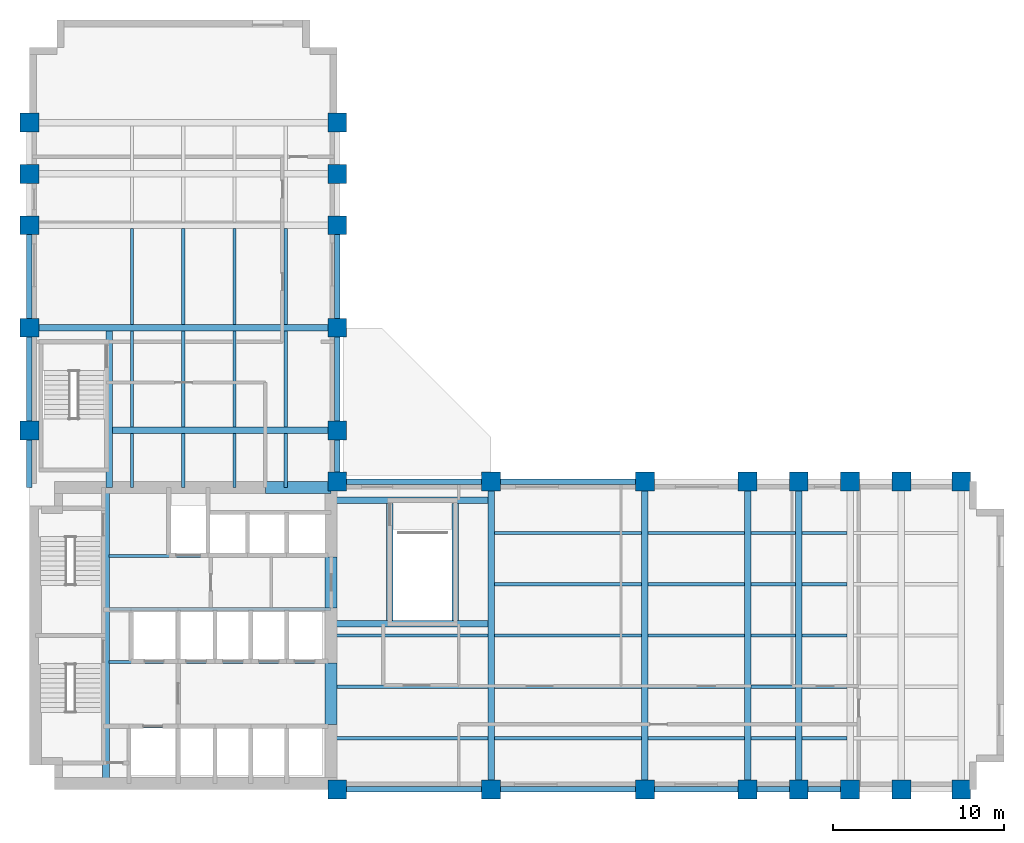
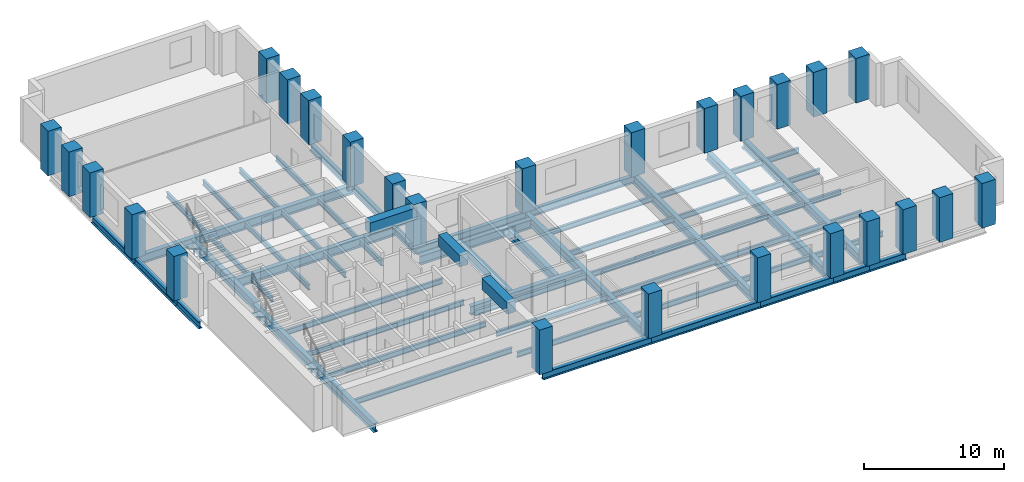
# One storey, part 1 of 7: 67 beams, 26 columns.
"""IFC4 building model written with IfcOpenShell, lengths in metres."""

from ifc_helpers import new_model, si_unit, direction, frame, origin, origin_2d, place, context, subcontext, project, spatial, rectangle, i_section, extrude, material, material_profile, profile_set, type_object, element, save


model = new_model("IFC4")

# Units and contexts
model_context = context("Model", 3, precision=1e-05, world=origin(), true_north=direction((0.0, 1.0)))
body_context = subcontext(model_context, "Body", "Model", "MODEL_VIEW")
ifc_project = project(units=[si_unit("LENGTHUNIT", "METRE"), si_unit("AREAUNIT", "SQUARE_METRE"), si_unit("VOLUMEUNIT", "CUBIC_METRE"), si_unit("PLANEANGLEUNIT", "RADIAN"), si_unit("MASSUNIT", "GRAM", prefix="KILO")], contexts=[model_context])

# Site, building, storey
site_placement = place(None, origin())
site = spatial("IfcSite", under=ifc_project, at=site_placement, CompositionType="ELEMENT")
building_placement = place(site_placement, origin())
building = spatial("IfcBuilding", under=site, at=building_placement, Name="Mawjdan Bourse Tower", CompositionType="ELEMENT")
storey_placement = place(building_placement, frame((0.0, 0.0, 93.300048828125)))
storey = spatial("IfcBuildingStorey", under=building, at=storey_placement, Name="L21", CompositionType="ELEMENT", Elevation=93.300048828125)

# Columns
ifc_material_1 = material(Name="Concrete C70/85", Category="concrete")
ifc_material_profile_1 = material_profile(ifc_material_1, rectangle(XDim=1.10009765625, YDim=1.10009765625, at=origin_2d()), Name="RC1100X1100")
ifc_profile_set_1 = profile_set([ifc_material_profile_1], Name="Concrete C70/85")
column_type = type_object("IfcColumnType", Name="COL-RC1100X1100", PredefinedType="COLUMN", material=ifc_profile_set_1)
for number, where, z_axis, x_axis, name in (
    (1, (24.0, 3.0, 0.0), (0.0, 0.0, 1.0), (1.0, 0.0, 0.0), "L21 Structural Column C-X240-Y30"),
    (2, (24.0, 21.0, 0.0), (0.0, 0.0, 1.0), (1.0, 0.0, 0.0), "L21 Structural Column C-X240-Y210"),
    (3, (33.0, 3.0, 0.0), (0.0, 0.0, 1.0), (1.0, 0.0, 0.0), "L21 Structural Column C-X330-Y30"),
    (4, (33.0, 21.0, 0.0), (0.0, 0.0, 1.0), (1.0, 0.0, 0.0), "L21 Structural Column C-X330-Y210"),
    (5, (42.0, 3.0, 0.0), (0.0, 0.0, 1.0), (1.0, 0.0, 0.0), "L21 Structural Column C-X420-Y30"),
    (6, (42.0, 21.0, 0.0), (0.0, 0.0, 1.0), (1.0, 0.0, 0.0), "L21 Structural Column C-X420-Y210"),
    (7, (48.0, 3.0, 0.0), (0.0, 0.0, 1.0), (1.0, 0.0, 0.0), "L21 Structural Column C-X480-Y30"),
    (8, (48.0, 21.0, 0.0), (0.0, 0.0, 1.0), (1.0, 0.0, 0.0), "L21 Structural Column C-X480-Y210"),
    (9, (51.0, 3.0, 0.0), (0.0, 0.0, 1.0), (1.0, 0.0, 0.0), "L21 Structural Column C-X510-Y30"),
    (10, (51.0, 21.0, 0.0), (0.0, 0.0, 1.0), (1.0, 0.0, 0.0), "L21 Structural Column C-X510-Y210"),
    (11, (54.0, 3.0, 0.0), (0.0, 0.0, 1.0), (1.0, 0.0, 0.0), "L21 Structural Column C-X540-Y30"),
    (12, (54.0, 21.0, 0.0), (0.0, 0.0, 1.0), (1.0, 0.0, 0.0), "L21 Structural Column C-X540-Y210"),
    (13, (57.0, 3.0, 0.0), (0.0, 0.0, 1.0), (1.0, 0.0, 0.0), "L21 Structural Column C-X570-Y30"),
    (14, (57.0, 21.0, 0.0), (0.0, 0.0, 1.0), (1.0, 0.0, 0.0), "L21 Structural Column C-X570-Y210"),
    (15, (60.5, 3.0, 0.0), (0.0, 0.0, 1.0), (1.0, 0.0, 0.0), "L21 Structural Column C-X605-Y30"),
    (16, (60.5, 21.0, 0.0), (0.0, 0.0, 1.0), (1.0, 0.0, 0.0), "L21 Structural Column C-X605-Y210"),
    (17, (6.0, 24.0, 0.0), (0.0, 0.0, 1.0), (1.0, 0.0, 0.0), "L21 Structural Column C-X60-Y240"),
    (18, (24.0, 24.0, 0.0), (0.0, 0.0, 1.0), (1.0, 0.0, 0.0), "L21 Structural Column C-X240-Y240"),
    (19, (6.0, 30.0, 0.0), (0.0, 0.0, 1.0), (1.0, 0.0, 0.0), "L21 Structural Column C-X60-Y300"),
    (20, (24.0, 30.0, 0.0), (0.0, 0.0, 1.0), (1.0, 0.0, 0.0), "L21 Structural Column C-X240-Y300"),
    (21, (6.0, 36.0, 0.0), (0.0, 0.0, 1.0), (1.0, 0.0, 0.0), "L21 Structural Column C-X60-Y360"),
    (22, (24.0, 36.0, 0.0), (0.0, 0.0, 1.0), (1.0, 0.0, 0.0), "L21 Structural Column C-X240-Y360"),
    (23, (6.0, 39.0, 0.0), (0.0, 0.0, 1.0), (1.0, 0.0, 0.0), "L21 Structural Column C-X60-Y390"),
    (24, (24.0, 39.0, 0.0), (0.0, 0.0, 1.0), (1.0, 0.0, 0.0), "L21 Structural Column C-X240-Y390"),
    (25, (6.0, 42.0, 0.0), (0.0, 0.0, 1.0), (1.0, 0.0, 0.0), "L21 Structural Column C-X60-Y420"),
    (26, (24.0, 42.0, 0.0), (0.0, 0.0, 1.0), (1.0, 0.0, 0.0), "L21 Structural Column C-X240-Y420"),
):
    element("IfcColumn", number, at=place(storey_placement, frame(where, z_axis=z_axis, x_axis=x_axis)), inside=storey, type_object=column_type, Name=name, PredefinedType="COLUMN", context=body_context, shape_type="SweptSolid", body=[
        extrude(rectangle(XDim=1.10009765625, YDim=1.10009765625, at=origin_2d()), origin(), (0.0, 0.0, 1.0), 3.89990234375),
    ])

# Beams
ifc_material_2 = material(Name="Structural Steel S355", Category="steel")
ifc_material_profile_2 = material_profile(ifc_material_2, i_section(OverallWidth=0.381103515625, OverallDepth=0.77294921875, WebThickness=0.0166015625, FlangeThickness=0.027099609375, FilletRadius=0.021728515625, at=origin_2d()), Name="W30X173")
ifc_profile_set_2 = profile_set([ifc_material_profile_2], Name="Structural Steel S355")
beam_type_1 = type_object("IfcBeamType", Name="GRD-W30X173", PredefinedType="BEAM", material=ifc_profile_set_2)
beam_1_placement = place(storey_placement, frame((10.47998046875, 3.35009765625, -0.586669921875), z_axis=(0.0, 1.0, 0.0), x_axis=(-1.0, 0.0, 0.0)))
element("IfcBeam", 27, at=beam_1_placement, inside=storey, type_object=beam_type_1, Name="L21 Core Stair Trimmer Girder 001", PredefinedType="BEAM", context=body_context, shape_type="SweptSolid", body=[
    extrude(i_section(OverallWidth=0.381103515625, OverallDepth=0.77294921875, WebThickness=0.0166015625, FlangeThickness=0.027099609375, FilletRadius=0.021728515625, at=origin_2d()), origin(), (0.0, 0.0, 1.0), 17.2998046875),
])
for number, where, z_axis, x_axis, name in (
    (28, (33.0, 3.0, -0.586669921875), (0.0, 1.0, 0.0), (-1.0, 0.0, 0.0), "L21 East Wing Clear-Span Girder 002"),
    (29, (42.0, 3.0, -0.586669921875), (0.0, 1.0, 0.0), (-1.0, 0.0, 0.0), "L21 East Wing Clear-Span Girder 003"),
    (30, (48.0, 3.0, -0.586669921875), (0.0, 1.0, 0.0), (-1.0, 0.0, 0.0), "L21 East Wing Clear-Span Girder 004"),
    (31, (51.0, 3.0, -0.586669921875), (0.0, 1.0, 0.0), (-1.0, 0.0, 0.0), "L21 East Wing Clear-Span Girder 005"),
):
    element("IfcBeam", number, at=place(storey_placement, frame(where, z_axis=z_axis, x_axis=x_axis)), inside=storey, type_object=beam_type_1, Name=name, PredefinedType="BEAM", context=body_context, shape_type="SweptSolid", body=[
        extrude(i_section(OverallWidth=0.381103515625, OverallDepth=0.77294921875, WebThickness=0.0166015625, FlangeThickness=0.027099609375, FilletRadius=0.021728515625, at=origin_2d()), origin(), (0.0, 0.0, 1.0), 18.0),
    ])
for number, where, z_axis, x_axis, name in (
    (32, (23.64990234375, 12.679931640625, -0.586669921875), (1.0, 0.0, 0.0), (0.0, 1.0, 0.0), "L21 Feature Stair South Trimmer 056"),
    (33, (23.64990234375, 19.919921875, -0.586669921875), (1.0, 0.0, 0.0), (0.0, 1.0, 0.0), "L21 Feature Stair North Trimmer 057"),
):
    element("IfcBeam", number, at=place(storey_placement, frame(where, z_axis=z_axis, x_axis=x_axis)), inside=storey, type_object=beam_type_1, Name=name, PredefinedType="BEAM", context=body_context, shape_type="SweptSolid", body=[
        extrude(i_section(OverallWidth=0.381103515625, OverallDepth=0.77294921875, WebThickness=0.0166015625, FlangeThickness=0.027099609375, FilletRadius=0.021728515625, at=origin_2d()), origin(), (0.0, 0.0, 1.0), 9.16162109375),
    ])
for number, where, z_axis, x_axis, name in (
    (34, (27.080078125, 12.868408203125, -0.586669921875), (0.0, 1.0, 0.0), (-1.0, 0.0, 0.0), "L21 Feature Stair West Trimmer 058"),
    (35, (30.919921875, 12.868408203125, -0.586669921875), (0.0, 1.0, 0.0), (-1.0, 0.0, 0.0), "L21 Feature Stair East Trimmer 059"),
):
    element("IfcBeam", number, at=place(storey_placement, frame(where, z_axis=z_axis, x_axis=x_axis)), inside=storey, type_object=beam_type_1, Name=name, PredefinedType="BEAM", context=body_context, shape_type="SweptSolid", body=[
        extrude(i_section(OverallWidth=0.381103515625, OverallDepth=0.77294921875, WebThickness=0.0166015625, FlangeThickness=0.027099609375, FilletRadius=0.021728515625, at=origin_2d()), origin(), (0.0, 0.0, 1.0), 6.863037109375),
    ])
beam_2_placement = place(storey_placement, frame((10.679931640625, 20.64990234375, -0.586669921875), z_axis=(0.0, 1.0, 0.0), x_axis=(-1.0, 0.0, 0.0)))
element("IfcBeam", 36, at=beam_2_placement, inside=storey, type_object=beam_type_1, Name="L21 North Wing Stair Trimmer Girder 064", PredefinedType="BEAM", context=body_context, shape_type="SweptSolid", body=[
    extrude(i_section(OverallWidth=0.381103515625, OverallDepth=0.77294921875, WebThickness=0.0166015625, FlangeThickness=0.027099609375, FilletRadius=0.021728515625, at=origin_2d()), origin(), (0.0, 0.0, 1.0), 9.16162109375),
])
beam_3_placement = place(storey_placement, frame((10.868408203125, 24.0, -0.586669921875), z_axis=(1.0, 0.0, 0.0), x_axis=(0.0, 1.0, 0.0)))
element("IfcBeam", 37, at=beam_3_placement, inside=storey, type_object=beam_type_1, Name="L21 North Wing Clear-Span Girder 065", PredefinedType="BEAM", context=body_context, shape_type="SweptSolid", body=[
    extrude(i_section(OverallWidth=0.381103515625, OverallDepth=0.77294921875, WebThickness=0.0166015625, FlangeThickness=0.027099609375, FilletRadius=0.021728515625, at=origin_2d()), origin(), (0.0, 0.0, 1.0), 13.131591796875),
])
beam_4_placement = place(storey_placement, frame((6.0, 30.0, -0.586669921875), z_axis=(1.0, 0.0, 0.0), x_axis=(0.0, 1.0, 0.0)))
element("IfcBeam", 38, at=beam_4_placement, inside=storey, type_object=beam_type_1, Name="L21 North Wing Clear-Span Girder 066", PredefinedType="BEAM", context=body_context, shape_type="SweptSolid", body=[
    extrude(i_section(OverallWidth=0.381103515625, OverallDepth=0.77294921875, WebThickness=0.0166015625, FlangeThickness=0.027099609375, FilletRadius=0.021728515625, at=origin_2d()), origin(), (0.0, 0.0, 1.0), 18.0),
])
ifc_material_profile_3 = material_profile(ifc_material_2, i_section(OverallWidth=0.19189453125, OverallDepth=0.462890625, WebThickness=0.010498046875, FlangeThickness=0.017578125, FilletRadius=0.01416015625, at=origin_2d()), Name="W18X60")
ifc_profile_set_3 = profile_set([ifc_material_profile_3], Name="Structural Steel S355")
beam_type_2 = type_object("IfcBeamType", Name="JST-W18X60", PredefinedType="JOIST", material=ifc_profile_set_3)
beam_5_placement = place(storey_placement, frame((23.64990234375, 6.0, -0.431640625), z_axis=(1.0, 0.0, 0.0), x_axis=(0.0, 1.0, 0.0)))
element("IfcBeam", 39, at=beam_5_placement, inside=storey, type_object=beam_type_2, Name="L21 East Wing Composite Joist 023", PredefinedType="JOIST", context=body_context, shape_type="SweptSolid", body=[
    extrude(i_section(OverallWidth=0.19189453125, OverallDepth=0.462890625, WebThickness=0.010498046875, FlangeThickness=0.017578125, FilletRadius=0.01416015625, at=origin_2d()), origin(), (0.0, 0.0, 1.0), 9.16162109375),
])
beam_6_placement = place(storey_placement, frame((33.1884765625, 6.0, -0.431640625), z_axis=(1.0, 0.0, 0.0), x_axis=(0.0, 1.0, 0.0)))
element("IfcBeam", 40, at=beam_6_placement, inside=storey, type_object=beam_type_2, Name="L21 East Wing Composite Joist 024", PredefinedType="JOIST", context=body_context, shape_type="SweptSolid", body=[
    extrude(i_section(OverallWidth=0.19189453125, OverallDepth=0.462890625, WebThickness=0.010498046875, FlangeThickness=0.017578125, FilletRadius=0.01416015625, at=origin_2d()), origin(), (0.0, 0.0, 1.0), 8.623046875),
])
beam_7_placement = place(storey_placement, frame((42.1884765625, 6.0, -0.431640625), z_axis=(1.0, 0.0, 0.0), x_axis=(0.0, 1.0, 0.0)))
element("IfcBeam", 41, at=beam_7_placement, inside=storey, type_object=beam_type_2, Name="L21 East Wing Composite Joist 025", PredefinedType="JOIST", context=body_context, shape_type="SweptSolid", body=[
    extrude(i_section(OverallWidth=0.19189453125, OverallDepth=0.462890625, WebThickness=0.010498046875, FlangeThickness=0.017578125, FilletRadius=0.01416015625, at=origin_2d()), origin(), (0.0, 0.0, 1.0), 5.623046875),
])
for number, where, z_axis, x_axis, name in (
    (42, (48.1884765625, 6.0, -0.431640625), (1.0, 0.0, 0.0), (0.0, 1.0, 0.0), "L21 East Wing Composite Joist 026"),
    (43, (51.1884765625, 6.0, -0.431640625), (1.0, 0.0, 0.0), (0.0, 1.0, 0.0), "L21 East Wing Composite Joist 027"),
):
    element("IfcBeam", number, at=place(storey_placement, frame(where, z_axis=z_axis, x_axis=x_axis)), inside=storey, type_object=beam_type_2, Name=name, PredefinedType="JOIST", context=body_context, shape_type="SweptSolid", body=[
        extrude(i_section(OverallWidth=0.19189453125, OverallDepth=0.462890625, WebThickness=0.010498046875, FlangeThickness=0.017578125, FilletRadius=0.01416015625, at=origin_2d()), origin(), (0.0, 0.0, 1.0), 2.623046875),
    ])
beam_8_placement = place(storey_placement, frame((23.64990234375, 9.0, -0.431640625), z_axis=(1.0, 0.0, 0.0), x_axis=(0.0, 1.0, 0.0)))
element("IfcBeam", 44, at=beam_8_placement, inside=storey, type_object=beam_type_2, Name="L21 East Wing Composite Joist 030", PredefinedType="JOIST", context=body_context, shape_type="SweptSolid", body=[
    extrude(i_section(OverallWidth=0.19189453125, OverallDepth=0.462890625, WebThickness=0.010498046875, FlangeThickness=0.017578125, FilletRadius=0.01416015625, at=origin_2d()), origin(), (0.0, 0.0, 1.0), 9.16162109375),
])
beam_9_placement = place(storey_placement, frame((33.1884765625, 9.0, -0.431640625), z_axis=(1.0, 0.0, 0.0), x_axis=(0.0, 1.0, 0.0)))
element("IfcBeam", 45, at=beam_9_placement, inside=storey, type_object=beam_type_2, Name="L21 East Wing Composite Joist 031", PredefinedType="JOIST", context=body_context, shape_type="SweptSolid", body=[
    extrude(i_section(OverallWidth=0.19189453125, OverallDepth=0.462890625, WebThickness=0.010498046875, FlangeThickness=0.017578125, FilletRadius=0.01416015625, at=origin_2d()), origin(), (0.0, 0.0, 1.0), 8.623046875),
])
beam_10_placement = place(storey_placement, frame((42.1884765625, 9.0, -0.431640625), z_axis=(1.0, 0.0, 0.0), x_axis=(0.0, 1.0, 0.0)))
element("IfcBeam", 46, at=beam_10_placement, inside=storey, type_object=beam_type_2, Name="L21 East Wing Composite Joist 032", PredefinedType="JOIST", context=body_context, shape_type="SweptSolid", body=[
    extrude(i_section(OverallWidth=0.19189453125, OverallDepth=0.462890625, WebThickness=0.010498046875, FlangeThickness=0.017578125, FilletRadius=0.01416015625, at=origin_2d()), origin(), (0.0, 0.0, 1.0), 5.623046875),
])
for number, where, z_axis, x_axis, name in (
    (47, (48.1884765625, 9.0, -0.431640625), (1.0, 0.0, 0.0), (0.0, 1.0, 0.0), "L21 East Wing Composite Joist 033"),
    (48, (51.1884765625, 9.0, -0.431640625), (1.0, 0.0, 0.0), (0.0, 1.0, 0.0), "L21 East Wing Composite Joist 034"),
):
    element("IfcBeam", number, at=place(storey_placement, frame(where, z_axis=z_axis, x_axis=x_axis)), inside=storey, type_object=beam_type_2, Name=name, PredefinedType="JOIST", context=body_context, shape_type="SweptSolid", body=[
        extrude(i_section(OverallWidth=0.19189453125, OverallDepth=0.462890625, WebThickness=0.010498046875, FlangeThickness=0.017578125, FilletRadius=0.01416015625, at=origin_2d()), origin(), (0.0, 0.0, 1.0), 2.623046875),
    ])
beam_11_placement = place(storey_placement, frame((23.64990234375, 12.0, -0.431640625), z_axis=(1.0, 0.0, 0.0), x_axis=(0.0, 1.0, 0.0)))
element("IfcBeam", 49, at=beam_11_placement, inside=storey, type_object=beam_type_2, Name="L21 East Wing Composite Joist 037", PredefinedType="JOIST", context=body_context, shape_type="SweptSolid", body=[
    extrude(i_section(OverallWidth=0.19189453125, OverallDepth=0.462890625, WebThickness=0.010498046875, FlangeThickness=0.017578125, FilletRadius=0.01416015625, at=origin_2d()), origin(), (0.0, 0.0, 1.0), 9.16162109375),
])
beam_12_placement = place(storey_placement, frame((33.1884765625, 12.0, -0.431640625), z_axis=(1.0, 0.0, 0.0), x_axis=(0.0, 1.0, 0.0)))
element("IfcBeam", 50, at=beam_12_placement, inside=storey, type_object=beam_type_2, Name="L21 East Wing Composite Joist 038", PredefinedType="JOIST", context=body_context, shape_type="SweptSolid", body=[
    extrude(i_section(OverallWidth=0.19189453125, OverallDepth=0.462890625, WebThickness=0.010498046875, FlangeThickness=0.017578125, FilletRadius=0.01416015625, at=origin_2d()), origin(), (0.0, 0.0, 1.0), 8.623046875),
])
beam_13_placement = place(storey_placement, frame((42.1884765625, 12.0, -0.431640625), z_axis=(1.0, 0.0, 0.0), x_axis=(0.0, 1.0, 0.0)))
element("IfcBeam", 51, at=beam_13_placement, inside=storey, type_object=beam_type_2, Name="L21 East Wing Composite Joist 039", PredefinedType="JOIST", context=body_context, shape_type="SweptSolid", body=[
    extrude(i_section(OverallWidth=0.19189453125, OverallDepth=0.462890625, WebThickness=0.010498046875, FlangeThickness=0.017578125, FilletRadius=0.01416015625, at=origin_2d()), origin(), (0.0, 0.0, 1.0), 5.623046875),
])
for number, where, z_axis, x_axis, name in (
    (52, (48.1884765625, 12.0, -0.431640625), (1.0, 0.0, 0.0), (0.0, 1.0, 0.0), "L21 East Wing Composite Joist 040"),
    (53, (51.1884765625, 12.0, -0.431640625), (1.0, 0.0, 0.0), (0.0, 1.0, 0.0), "L21 East Wing Composite Joist 041"),
):
    element("IfcBeam", number, at=place(storey_placement, frame(where, z_axis=z_axis, x_axis=x_axis)), inside=storey, type_object=beam_type_2, Name=name, PredefinedType="JOIST", context=body_context, shape_type="SweptSolid", body=[
        extrude(i_section(OverallWidth=0.19189453125, OverallDepth=0.462890625, WebThickness=0.010498046875, FlangeThickness=0.017578125, FilletRadius=0.01416015625, at=origin_2d()), origin(), (0.0, 0.0, 1.0), 2.623046875),
    ])
beam_14_placement = place(storey_placement, frame((33.1884765625, 15.0, -0.431640625), z_axis=(1.0, 0.0, 0.0), x_axis=(0.0, 1.0, 0.0)))
element("IfcBeam", 54, at=beam_14_placement, inside=storey, type_object=beam_type_2, Name="L21 East Wing Composite Joist 044", PredefinedType="JOIST", context=body_context, shape_type="SweptSolid", body=[
    extrude(i_section(OverallWidth=0.19189453125, OverallDepth=0.462890625, WebThickness=0.010498046875, FlangeThickness=0.017578125, FilletRadius=0.01416015625, at=origin_2d()), origin(), (0.0, 0.0, 1.0), 8.623046875),
])
beam_15_placement = place(storey_placement, frame((42.1884765625, 15.0, -0.431640625), z_axis=(1.0, 0.0, 0.0), x_axis=(0.0, 1.0, 0.0)))
element("IfcBeam", 55, at=beam_15_placement, inside=storey, type_object=beam_type_2, Name="L21 East Wing Composite Joist 045", PredefinedType="JOIST", context=body_context, shape_type="SweptSolid", body=[
    extrude(i_section(OverallWidth=0.19189453125, OverallDepth=0.462890625, WebThickness=0.010498046875, FlangeThickness=0.017578125, FilletRadius=0.01416015625, at=origin_2d()), origin(), (0.0, 0.0, 1.0), 5.623046875),
])
for number, where, z_axis, x_axis, name in (
    (56, (48.1884765625, 15.0, -0.431640625), (1.0, 0.0, 0.0), (0.0, 1.0, 0.0), "L21 East Wing Composite Joist 046"),
    (57, (51.1884765625, 15.0, -0.431640625), (1.0, 0.0, 0.0), (0.0, 1.0, 0.0), "L21 East Wing Composite Joist 047"),
):
    element("IfcBeam", number, at=place(storey_placement, frame(where, z_axis=z_axis, x_axis=x_axis)), inside=storey, type_object=beam_type_2, Name=name, PredefinedType="JOIST", context=body_context, shape_type="SweptSolid", body=[
        extrude(i_section(OverallWidth=0.19189453125, OverallDepth=0.462890625, WebThickness=0.010498046875, FlangeThickness=0.017578125, FilletRadius=0.01416015625, at=origin_2d()), origin(), (0.0, 0.0, 1.0), 2.623046875),
    ])
beam_16_placement = place(storey_placement, frame((33.1884765625, 18.0, -0.431640625), z_axis=(1.0, 0.0, 0.0), x_axis=(0.0, 1.0, 0.0)))
element("IfcBeam", 58, at=beam_16_placement, inside=storey, type_object=beam_type_2, Name="L21 East Wing Composite Joist 050", PredefinedType="JOIST", context=body_context, shape_type="SweptSolid", body=[
    extrude(i_section(OverallWidth=0.19189453125, OverallDepth=0.462890625, WebThickness=0.010498046875, FlangeThickness=0.017578125, FilletRadius=0.01416015625, at=origin_2d()), origin(), (0.0, 0.0, 1.0), 8.623046875),
])
beam_17_placement = place(storey_placement, frame((42.1884765625, 18.0, -0.431640625), z_axis=(1.0, 0.0, 0.0), x_axis=(0.0, 1.0, 0.0)))
element("IfcBeam", 59, at=beam_17_placement, inside=storey, type_object=beam_type_2, Name="L21 East Wing Composite Joist 051", PredefinedType="JOIST", context=body_context, shape_type="SweptSolid", body=[
    extrude(i_section(OverallWidth=0.19189453125, OverallDepth=0.462890625, WebThickness=0.010498046875, FlangeThickness=0.017578125, FilletRadius=0.01416015625, at=origin_2d()), origin(), (0.0, 0.0, 1.0), 5.623046875),
])
for number, where, z_axis, x_axis, name in (
    (60, (48.1884765625, 18.0, -0.431640625), (1.0, 0.0, 0.0), (0.0, 1.0, 0.0), "L21 East Wing Composite Joist 052"),
    (61, (51.1884765625, 18.0, -0.431640625), (1.0, 0.0, 0.0), (0.0, 1.0, 0.0), "L21 East Wing Composite Joist 053"),
):
    element("IfcBeam", number, at=place(storey_placement, frame(where, z_axis=z_axis, x_axis=x_axis)), inside=storey, type_object=beam_type_2, Name=name, PredefinedType="JOIST", context=body_context, shape_type="SweptSolid", body=[
        extrude(i_section(OverallWidth=0.19189453125, OverallDepth=0.462890625, WebThickness=0.010498046875, FlangeThickness=0.017578125, FilletRadius=0.01416015625, at=origin_2d()), origin(), (0.0, 0.0, 1.0), 2.623046875),
    ])
for number, where, z_axis, x_axis, name in (
    (62, (10.66845703125, 6.699951171875, -0.431640625), (1.0, 0.0, 0.0), (0.0, 1.0, 0.0), "L21 Core Floor Joist 060"),
    (63, (10.66845703125, 10.449951171875, -0.431640625), (1.0, 0.0, 0.0), (0.0, 1.0, 0.0), "L21 Core Floor Joist 061"),
    (64, (10.66845703125, 13.550048828125, -0.431640625), (1.0, 0.0, 0.0), (0.0, 1.0, 0.0), "L21 Core Floor Joist 062"),
    (65, (10.66845703125, 16.64990234375, -0.431640625), (1.0, 0.0, 0.0), (0.0, 1.0, 0.0), "L21 Core Floor Joist 063"),
):
    element("IfcBeam", number, at=place(storey_placement, frame(where, z_axis=z_axis, x_axis=x_axis)), inside=storey, type_object=beam_type_2, Name=name, PredefinedType="JOIST", context=body_context, shape_type="SweptSolid", body=[
        extrude(i_section(OverallWidth=0.19189453125, OverallDepth=0.462890625, WebThickness=0.010498046875, FlangeThickness=0.017578125, FilletRadius=0.01416015625, at=origin_2d()), origin(), (0.0, 0.0, 1.0), 12.9814453125),
    ])
beam_18_placement = place(storey_placement, frame((12.0, 20.64990234375, -0.431640625), z_axis=(0.0, 1.0, 0.0), x_axis=(-1.0, 0.0, 0.0)))
element("IfcBeam", 66, at=beam_18_placement, inside=storey, type_object=beam_type_2, Name="L21 North Wing Composite Joist 080", PredefinedType="JOIST", context=body_context, shape_type="SweptSolid", body=[
    extrude(i_section(OverallWidth=0.19189453125, OverallDepth=0.462890625, WebThickness=0.010498046875, FlangeThickness=0.017578125, FilletRadius=0.01416015625, at=origin_2d()), origin(), (0.0, 0.0, 1.0), 3.16162109375),
])
for number, where, z_axis, x_axis, name in (
    (67, (12.0, 24.1884765625, -0.431640625), (0.0, 1.0, 0.0), (-1.0, 0.0, 0.0), "L21 North Wing Composite Joist 081"),
    (68, (12.0, 30.1884765625, -0.431640625), (0.0, 1.0, 0.0), (-1.0, 0.0, 0.0), "L21 North Wing Composite Joist 082"),
):
    element("IfcBeam", number, at=place(storey_placement, frame(where, z_axis=z_axis, x_axis=x_axis)), inside=storey, type_object=beam_type_2, Name=name, PredefinedType="JOIST", context=body_context, shape_type="SweptSolid", body=[
        extrude(i_section(OverallWidth=0.19189453125, OverallDepth=0.462890625, WebThickness=0.010498046875, FlangeThickness=0.017578125, FilletRadius=0.01416015625, at=origin_2d()), origin(), (0.0, 0.0, 1.0), 5.623046875),
    ])
beam_19_placement = place(storey_placement, frame((15.0, 20.64990234375, -0.431640625), z_axis=(0.0, 1.0, 0.0), x_axis=(-1.0, 0.0, 0.0)))
element("IfcBeam", 69, at=beam_19_placement, inside=storey, type_object=beam_type_2, Name="L21 North Wing Composite Joist 085", PredefinedType="JOIST", context=body_context, shape_type="SweptSolid", body=[
    extrude(i_section(OverallWidth=0.19189453125, OverallDepth=0.462890625, WebThickness=0.010498046875, FlangeThickness=0.017578125, FilletRadius=0.01416015625, at=origin_2d()), origin(), (0.0, 0.0, 1.0), 3.16162109375),
])
for number, where, z_axis, x_axis, name in (
    (70, (15.0, 24.1884765625, -0.431640625), (0.0, 1.0, 0.0), (-1.0, 0.0, 0.0), "L21 North Wing Composite Joist 086"),
    (71, (15.0, 30.1884765625, -0.431640625), (0.0, 1.0, 0.0), (-1.0, 0.0, 0.0), "L21 North Wing Composite Joist 087"),
):
    element("IfcBeam", number, at=place(storey_placement, frame(where, z_axis=z_axis, x_axis=x_axis)), inside=storey, type_object=beam_type_2, Name=name, PredefinedType="JOIST", context=body_context, shape_type="SweptSolid", body=[
        extrude(i_section(OverallWidth=0.19189453125, OverallDepth=0.462890625, WebThickness=0.010498046875, FlangeThickness=0.017578125, FilletRadius=0.01416015625, at=origin_2d()), origin(), (0.0, 0.0, 1.0), 5.623046875),
    ])
beam_20_placement = place(storey_placement, frame((18.0, 20.64990234375, -0.431640625), z_axis=(0.0, 1.0, 0.0), x_axis=(-1.0, 0.0, 0.0)))
element("IfcBeam", 72, at=beam_20_placement, inside=storey, type_object=beam_type_2, Name="L21 North Wing Composite Joist 090", PredefinedType="JOIST", context=body_context, shape_type="SweptSolid", body=[
    extrude(i_section(OverallWidth=0.19189453125, OverallDepth=0.462890625, WebThickness=0.010498046875, FlangeThickness=0.017578125, FilletRadius=0.01416015625, at=origin_2d()), origin(), (0.0, 0.0, 1.0), 3.16162109375),
])
for number, where, z_axis, x_axis, name in (
    (73, (18.0, 24.1884765625, -0.431640625), (0.0, 1.0, 0.0), (-1.0, 0.0, 0.0), "L21 North Wing Composite Joist 091"),
    (74, (18.0, 30.1884765625, -0.431640625), (0.0, 1.0, 0.0), (-1.0, 0.0, 0.0), "L21 North Wing Composite Joist 092"),
):
    element("IfcBeam", number, at=place(storey_placement, frame(where, z_axis=z_axis, x_axis=x_axis)), inside=storey, type_object=beam_type_2, Name=name, PredefinedType="JOIST", context=body_context, shape_type="SweptSolid", body=[
        extrude(i_section(OverallWidth=0.19189453125, OverallDepth=0.462890625, WebThickness=0.010498046875, FlangeThickness=0.017578125, FilletRadius=0.01416015625, at=origin_2d()), origin(), (0.0, 0.0, 1.0), 5.623046875),
    ])
beam_21_placement = place(storey_placement, frame((21.0, 20.64990234375, -0.431640625), z_axis=(0.0, 1.0, 0.0), x_axis=(-1.0, 0.0, 0.0)))
element("IfcBeam", 75, at=beam_21_placement, inside=storey, type_object=beam_type_2, Name="L21 North Wing Composite Joist 095", PredefinedType="JOIST", context=body_context, shape_type="SweptSolid", body=[
    extrude(i_section(OverallWidth=0.19189453125, OverallDepth=0.462890625, WebThickness=0.010498046875, FlangeThickness=0.017578125, FilletRadius=0.01416015625, at=origin_2d()), origin(), (0.0, 0.0, 1.0), 3.16162109375),
])
for number, where, z_axis, x_axis, name in (
    (76, (21.0, 24.1884765625, -0.431640625), (0.0, 1.0, 0.0), (-1.0, 0.0, 0.0), "L21 North Wing Composite Joist 096"),
    (77, (21.0, 30.1884765625, -0.431640625), (0.0, 1.0, 0.0), (-1.0, 0.0, 0.0), "L21 North Wing Composite Joist 097"),
):
    element("IfcBeam", number, at=place(storey_placement, frame(where, z_axis=z_axis, x_axis=x_axis)), inside=storey, type_object=beam_type_2, Name=name, PredefinedType="JOIST", context=body_context, shape_type="SweptSolid", body=[
        extrude(i_section(OverallWidth=0.19189453125, OverallDepth=0.462890625, WebThickness=0.010498046875, FlangeThickness=0.017578125, FilletRadius=0.01416015625, at=origin_2d()), origin(), (0.0, 0.0, 1.0), 5.623046875),
    ])
ifc_material_profile_4 = material_profile(ifc_material_1, rectangle(XDim=0.699951171875, YDim=1.0, at=origin_2d()), Name="RCB700X1000")
ifc_profile_set_4 = profile_set([ifc_material_profile_4], Name="Concrete C70/85")
beam_type_3 = type_object("IfcBeamType", Name="LNT-RCB700X1000", PredefinedType="LINTEL", material=ifc_profile_set_4)
beam_22_placement = place(storey_placement, frame((23.64990234375, 6.800048828125, 3.199951171875), z_axis=(0.0, 1.0, 0.0), x_axis=(-1.0, 0.0, 0.0)))
element("IfcBeam", 78, at=beam_22_placement, inside=storey, type_object=beam_type_3, Name="L21 Coupled Core Lintel CB-E1", PredefinedType="LINTEL", context=body_context, shape_type="SweptSolid", body=[
    extrude(rectangle(XDim=0.699951171875, YDim=1.0, at=origin_2d()), origin(), (0.0, 0.0, 1.0), 3.599853515625),
])
beam_23_placement = place(storey_placement, frame((23.64990234375, 13.60009765625, 3.199951171875), z_axis=(0.0, 1.0, 0.0), x_axis=(-1.0, 0.0, 0.0)))
element("IfcBeam", 79, at=beam_23_placement, inside=storey, type_object=beam_type_3, Name="L21 Coupled Core Lintel CB-E2", PredefinedType="LINTEL", context=body_context, shape_type="SweptSolid", body=[
    extrude(rectangle(XDim=0.699951171875, YDim=1.0, at=origin_2d()), origin(), (0.0, 0.0, 1.0), 3.0),
])
beam_24_placement = place(storey_placement, frame((19.800048828125, 20.64990234375, 3.199951171875), z_axis=(1.0, 0.0, 0.0), x_axis=(0.0, 1.0, 0.0)))
element("IfcBeam", 80, at=beam_24_placement, inside=storey, type_object=beam_type_3, Name="L21 Coupled Core Lintel CB-N1", PredefinedType="LINTEL", context=body_context, shape_type="SweptSolid", body=[
    extrude(rectangle(XDim=0.699951171875, YDim=1.0, at=origin_2d()), origin(), (0.0, 0.0, 1.0), 3.849853515625),
])
ifc_material_profile_5 = material_profile(ifc_material_2, i_section(OverallWidth=0.324951171875, OverallDepth=0.616943359375, WebThickness=0.013916015625, FlangeThickness=0.021484375, FilletRadius=0.017333984375, at=origin_2d()), Name="W24X117")
ifc_profile_set_5 = profile_set([ifc_material_profile_5], Name="Structural Steel S355")
beam_type_4 = type_object("IfcBeamType", Name="SPN-W24X117", PredefinedType="SPANDREL", material=ifc_profile_set_5)
for number, where, z_axis, x_axis, name in (
    (81, (24.0, 3.0, -0.568603515625), (1.0, 0.0, 0.0), (0.0, 1.0, 0.0), "L21 Perimeter Masonry-Shelf Spandrel 009"),
    (82, (33.0, 3.0, -0.568603515625), (1.0, 0.0, 0.0), (0.0, 1.0, 0.0), "L21 Perimeter Masonry-Shelf Spandrel 010"),
):
    element("IfcBeam", number, at=place(storey_placement, frame(where, z_axis=z_axis, x_axis=x_axis)), inside=storey, type_object=beam_type_4, Name=name, PredefinedType="SPANDREL", context=body_context, shape_type="SweptSolid", body=[
        extrude(i_section(OverallWidth=0.324951171875, OverallDepth=0.616943359375, WebThickness=0.013916015625, FlangeThickness=0.021484375, FilletRadius=0.017333984375, at=origin_2d()), origin(), (0.0, 0.0, 1.0), 9.0),
    ])
beam_25_placement = place(storey_placement, frame((42.0, 3.0, -0.568603515625), z_axis=(1.0, 0.0, 0.0), x_axis=(0.0, 1.0, 0.0)))
element("IfcBeam", 83, at=beam_25_placement, inside=storey, type_object=beam_type_4, Name="L21 Perimeter Masonry-Shelf Spandrel 011", PredefinedType="SPANDREL", context=body_context, shape_type="SweptSolid", body=[
    extrude(i_section(OverallWidth=0.324951171875, OverallDepth=0.616943359375, WebThickness=0.013916015625, FlangeThickness=0.021484375, FilletRadius=0.017333984375, at=origin_2d()), origin(), (0.0, 0.0, 1.0), 6.0),
])
for number, where, z_axis, x_axis, name in (
    (84, (48.0, 3.0, -0.568603515625), (1.0, 0.0, 0.0), (0.0, 1.0, 0.0), "L21 Perimeter Masonry-Shelf Spandrel 012"),
    (85, (51.0, 3.0, -0.568603515625), (1.0, 0.0, 0.0), (0.0, 1.0, 0.0), "L21 Perimeter Masonry-Shelf Spandrel 013"),
):
    element("IfcBeam", number, at=place(storey_placement, frame(where, z_axis=z_axis, x_axis=x_axis)), inside=storey, type_object=beam_type_4, Name=name, PredefinedType="SPANDREL", context=body_context, shape_type="SweptSolid", body=[
        extrude(i_section(OverallWidth=0.324951171875, OverallDepth=0.616943359375, WebThickness=0.013916015625, FlangeThickness=0.021484375, FilletRadius=0.017333984375, at=origin_2d()), origin(), (0.0, 0.0, 1.0), 3.0),
    ])
for number, where, z_axis, x_axis, name in (
    (86, (24.0, 21.0, -0.568603515625), (1.0, 0.0, 0.0), (0.0, 1.0, 0.0), "L21 Perimeter Masonry-Shelf Spandrel 016"),
    (87, (33.0, 21.0, -0.568603515625), (1.0, 0.0, 0.0), (0.0, 1.0, 0.0), "L21 Perimeter Masonry-Shelf Spandrel 017"),
):
    element("IfcBeam", number, at=place(storey_placement, frame(where, z_axis=z_axis, x_axis=x_axis)), inside=storey, type_object=beam_type_4, Name=name, PredefinedType="SPANDREL", context=body_context, shape_type="SweptSolid", body=[
        extrude(i_section(OverallWidth=0.324951171875, OverallDepth=0.616943359375, WebThickness=0.013916015625, FlangeThickness=0.021484375, FilletRadius=0.017333984375, at=origin_2d()), origin(), (0.0, 0.0, 1.0), 9.0),
    ])
beam_26_placement = place(storey_placement, frame((6.0, 20.64990234375, -0.568603515625), z_axis=(0.0, 1.0, 0.0), x_axis=(-1.0, 0.0, 0.0)))
element("IfcBeam", 88, at=beam_26_placement, inside=storey, type_object=beam_type_4, Name="L21 North Wing Spandrel 070", PredefinedType="SPANDREL", context=body_context, shape_type="SweptSolid", body=[
    extrude(i_section(OverallWidth=0.324951171875, OverallDepth=0.616943359375, WebThickness=0.013916015625, FlangeThickness=0.021484375, FilletRadius=0.017333984375, at=origin_2d()), origin(), (0.0, 0.0, 1.0), 3.35009765625),
])
for number, where, z_axis, x_axis, name in (
    (89, (6.0, 24.0, -0.568603515625), (0.0, 1.0, 0.0), (-1.0, 0.0, 0.0), "L21 North Wing Spandrel 071"),
    (90, (6.0, 30.0, -0.568603515625), (0.0, 1.0, 0.0), (-1.0, 0.0, 0.0), "L21 North Wing Spandrel 072"),
):
    element("IfcBeam", number, at=place(storey_placement, frame(where, z_axis=z_axis, x_axis=x_axis)), inside=storey, type_object=beam_type_4, Name=name, PredefinedType="SPANDREL", context=body_context, shape_type="SweptSolid", body=[
        extrude(i_section(OverallWidth=0.324951171875, OverallDepth=0.616943359375, WebThickness=0.013916015625, FlangeThickness=0.021484375, FilletRadius=0.017333984375, at=origin_2d()), origin(), (0.0, 0.0, 1.0), 6.0),
    ])
beam_27_placement = place(storey_placement, frame((24.0, 21.0, -0.568603515625), z_axis=(0.0, 1.0, 0.0), x_axis=(-1.0, 0.0, 0.0)))
element("IfcBeam", 91, at=beam_27_placement, inside=storey, type_object=beam_type_4, Name="L21 North Wing Spandrel 075", PredefinedType="SPANDREL", context=body_context, shape_type="SweptSolid", body=[
    extrude(i_section(OverallWidth=0.324951171875, OverallDepth=0.616943359375, WebThickness=0.013916015625, FlangeThickness=0.021484375, FilletRadius=0.017333984375, at=origin_2d()), origin(), (0.0, 0.0, 1.0), 3.0),
])
for number, where, z_axis, x_axis, name in (
    (92, (24.0, 24.0, -0.568603515625), (0.0, 1.0, 0.0), (-1.0, 0.0, 0.0), "L21 North Wing Spandrel 076"),
    (93, (24.0, 30.0, -0.568603515625), (0.0, 1.0, 0.0), (-1.0, 0.0, 0.0), "L21 North Wing Spandrel 077"),
):
    element("IfcBeam", number, at=place(storey_placement, frame(where, z_axis=z_axis, x_axis=x_axis)), inside=storey, type_object=beam_type_4, Name=name, PredefinedType="SPANDREL", context=body_context, shape_type="SweptSolid", body=[
        extrude(i_section(OverallWidth=0.324951171875, OverallDepth=0.616943359375, WebThickness=0.013916015625, FlangeThickness=0.021484375, FilletRadius=0.017333984375, at=origin_2d()), origin(), (0.0, 0.0, 1.0), 6.0),
    ])

save(model, "model.ifc")
